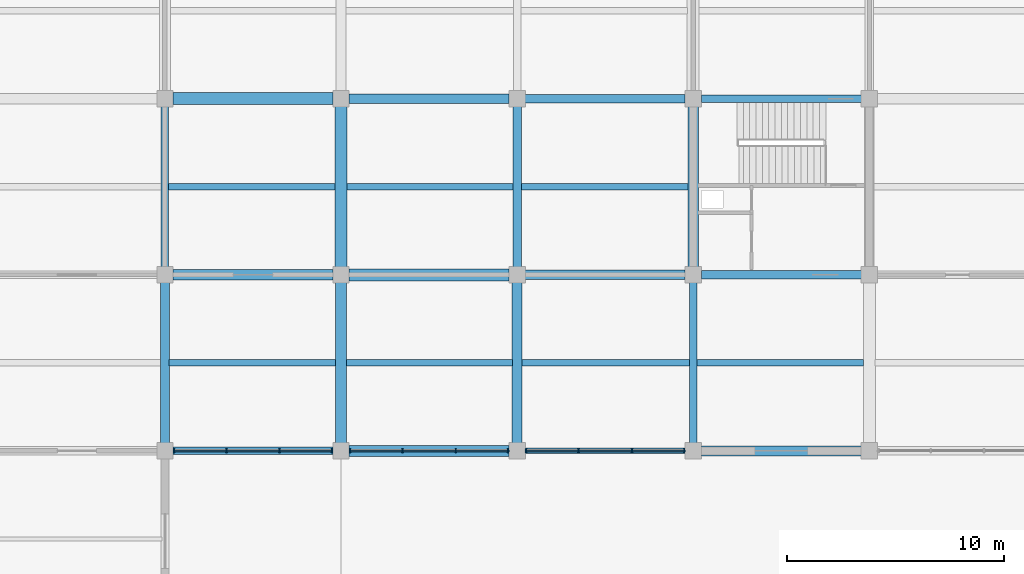
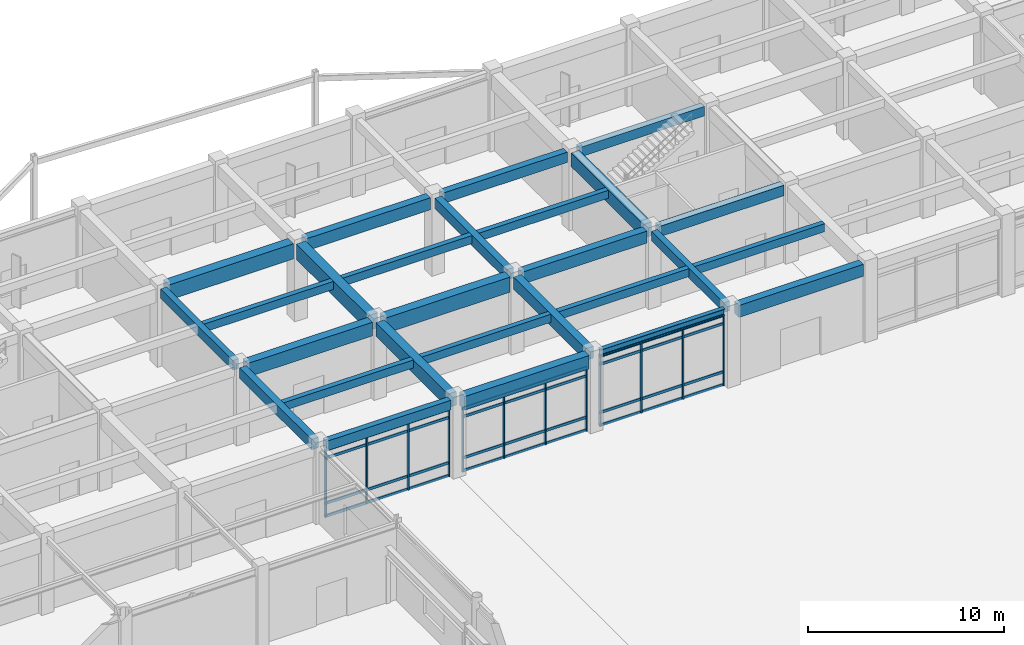
# One storey, part 33 of 99: 27 beams, 24 members, 3 elements without a shape of their own.
"""IFC4 building model written with IfcOpenShell, lengths in metres."""

from ifc_helpers import new_model, si_unit, direction, frame, origin, origin_2d, place, context, subcontext, project, spatial, rectangle, i_section, extrude, material, layer, layer_set, material_profile, profile_set, type_object, element, aggregate, save


model = new_model("IFC4")

# Units and contexts
model_context = context("Model", 3, precision=1e-05, world=origin(), true_north=direction((0.0, 1.0)))
body_context = subcontext(model_context, "Body", "Model", "MODEL_VIEW")
ifc_project = project(units=[si_unit("LENGTHUNIT", "METRE"), si_unit("AREAUNIT", "SQUARE_METRE"), si_unit("VOLUMEUNIT", "CUBIC_METRE"), si_unit("PLANEANGLEUNIT", "RADIAN"), si_unit("MASSUNIT", "GRAM", prefix="KILO")], contexts=[model_context])

# Site, building, storey
site_placement = place(None, origin())
site = spatial("IfcSite", under=ifc_project, at=site_placement, CompositionType="ELEMENT")
building_placement = place(site_placement, origin())
building = spatial("IfcBuilding", under=site, at=building_placement, Name="Vaudrelin Polytechnic", CompositionType="ELEMENT")
storey_placement = place(building_placement, origin())
storey = spatial("IfcBuildingStorey", under=building, at=storey_placement, Name="L00", CompositionType="ELEMENT", Elevation=0.0)

# Beams
ifc_material_1 = material(Name="Concrete 40 MPa", Category="concrete")
ifc_material_profile_1 = material_profile(ifc_material_1, rectangle(XDim=0.35009765625, YDim=0.60009765625, at=origin_2d()), Name="RC350x600")
ifc_profile_set_1 = profile_set([ifc_material_profile_1], Name="Concrete 40 MPa")
beam_type_1 = type_object("IfcBeamType", Name="BM-BM-RC3560", PredefinedType="BEAM", material=ifc_profile_set_1)
beam_1_placement = place(storey_placement, frame((32.39990234375, 105.659912109375, 4.52001953125), z_axis=(0.0, 1.0, 0.0), x_axis=(-1.0, 0.0, 0.0)))
element("IfcBeam", 1, at=beam_1_placement, inside=storey, type_object=beam_type_1, Name="L00 Y-beam 5-14", PredefinedType="BEAM", context=body_context, shape_type="SweptSolid", body=[
    extrude(rectangle(XDim=0.35009765625, YDim=0.60009765625, at=origin_2d()), origin(), (0.0, 0.0, 1.0), 7.380126953125),
])
beam_2_placement = place(storey_placement, frame((56.699951171875, 97.56005859375, 4.52001953125), z_axis=(0.0, 1.0, 0.0), x_axis=(-1.0, 0.0, 0.0)))
element("IfcBeam", 2, at=beam_2_placement, inside=storey, type_object=beam_type_1, Name="L00 Y-beam 8-13", PredefinedType="BEAM", context=body_context, shape_type="SweptSolid", body=[
    extrude(rectangle(XDim=0.35009765625, YDim=0.60009765625, at=origin_2d()), origin(), (0.0, 0.0, 1.0), 7.3798828125),
])
for number, where, z_axis, x_axis, name in (
    (3, (32.77099609375, 97.199951171875, 4.52001953125), (1.0, 0.0, 0.0), (0.0, 1.0, 0.0), "L00 X-beam 5-13"),
    (4, (57.071044921875, 113.39990234375, 4.52001953125), (1.0, 0.0, 0.0), (0.0, 1.0, 0.0), "L00 X-beam 8-15"),
):
    element("IfcBeam", number, at=place(storey_placement, frame(where, z_axis=z_axis, x_axis=x_axis)), inside=storey, type_object=beam_type_1, Name=name, PredefinedType="BEAM", context=body_context, shape_type="SweptSolid", body=[
        extrude(rectangle(XDim=0.35009765625, YDim=0.60009765625, at=origin_2d()), origin(), (0.0, 0.0, 1.0), 7.35791015625),
    ])
ifc_material_profile_2 = material_profile(ifc_material_1, rectangle(XDim=0.39990234375, YDim=0.64990234375, at=origin_2d()), Name="RC400x650")
ifc_profile_set_2 = profile_set([ifc_material_profile_2], Name="Concrete 40 MPa")
beam_type_2 = type_object("IfcBeamType", Name="BM-BM-RC4065", PredefinedType="BEAM", material=ifc_profile_set_2)
beam_3_placement = place(storey_placement, frame((32.39990234375, 97.56005859375, 4.4951171875), z_axis=(0.0, 1.0, 0.0), x_axis=(-1.0, 0.0, 0.0)))
element("IfcBeam", 5, at=beam_3_placement, inside=storey, type_object=beam_type_2, Name="L00 Y-beam 5-13", PredefinedType="BEAM", context=body_context, shape_type="SweptSolid", body=[
    extrude(rectangle(XDim=0.39990234375, YDim=0.64990234375, at=origin_2d()), origin(), (0.0, 0.0, 1.0), 7.3798828125),
])
beam_4_placement = place(storey_placement, frame((48.60009765625, 105.659912109375, 4.4951171875), z_axis=(0.0, 1.0, 0.0), x_axis=(-1.0, 0.0, 0.0)))
element("IfcBeam", 6, at=beam_4_placement, inside=storey, type_object=beam_type_2, Name="L00 Y-beam 7-14", PredefinedType="BEAM", context=body_context, shape_type="SweptSolid", body=[
    extrude(rectangle(XDim=0.39990234375, YDim=0.64990234375, at=origin_2d()), origin(), (0.0, 0.0, 1.0), 7.380126953125),
])
beam_5_placement = place(storey_placement, frame((48.970947265625, 113.39990234375, 4.4951171875), z_axis=(1.0, 0.0, 0.0), x_axis=(0.0, 1.0, 0.0)))
element("IfcBeam", 7, at=beam_5_placement, inside=storey, type_object=beam_type_2, Name="L00 X-beam 7-15", PredefinedType="BEAM", context=body_context, shape_type="SweptSolid", body=[
    extrude(rectangle(XDim=0.39990234375, YDim=0.64990234375, at=origin_2d()), origin(), (0.0, 0.0, 1.0), 7.358154296875),
])
beam_6_placement = place(storey_placement, frame((57.071044921875, 105.300048828125, 4.4951171875), z_axis=(1.0, 0.0, 0.0), x_axis=(0.0, 1.0, 0.0)))
element("IfcBeam", 8, at=beam_6_placement, inside=storey, type_object=beam_type_2, Name="L00 X-beam 8-14", PredefinedType="BEAM", context=body_context, shape_type="SweptSolid", body=[
    extrude(rectangle(XDim=0.39990234375, YDim=0.64990234375, at=origin_2d()), origin(), (0.0, 0.0, 1.0), 7.35791015625),
])
ifc_material_profile_3 = material_profile(ifc_material_1, rectangle(XDim=0.449951171875, YDim=0.75, at=origin_2d()), Name="RC450x750")
ifc_profile_set_3 = profile_set([ifc_material_profile_3], Name="Concrete 40 MPa")
beam_type_3 = type_object("IfcBeamType", Name="BM-BM-RC4575", PredefinedType="BEAM", material=ifc_profile_set_3)
beam_7_placement = place(storey_placement, frame((48.60009765625, 97.56005859375, 4.445068359375), z_axis=(0.0, 1.0, 0.0), x_axis=(-1.0, 0.0, 0.0)))
element("IfcBeam", 9, at=beam_7_placement, inside=storey, type_object=beam_type_3, Name="L00 Y-beam 7-13", PredefinedType="BEAM", context=body_context, shape_type="SweptSolid", body=[
    extrude(rectangle(XDim=0.449951171875, YDim=0.75, at=origin_2d()), origin(), (0.0, 0.0, 1.0), 7.3798828125),
])
beam_8_placement = place(storey_placement, frame((40.87109375, 113.39990234375, 4.445068359375), z_axis=(1.0, 0.0, 0.0), x_axis=(0.0, 1.0, 0.0)))
element("IfcBeam", 10, at=beam_8_placement, inside=storey, type_object=beam_type_3, Name="L00 X-beam 6-15", PredefinedType="BEAM", context=body_context, shape_type="SweptSolid", body=[
    extrude(rectangle(XDim=0.449951171875, YDim=0.75, at=origin_2d()), origin(), (0.0, 0.0, 1.0), 7.35791015625),
])
beam_9_placement = place(storey_placement, frame((48.970947265625, 105.300048828125, 4.445068359375), z_axis=(1.0, 0.0, 0.0), x_axis=(0.0, 1.0, 0.0)))
element("IfcBeam", 11, at=beam_9_placement, inside=storey, type_object=beam_type_3, Name="L00 X-beam 7-14", PredefinedType="BEAM", context=body_context, shape_type="SweptSolid", body=[
    extrude(rectangle(XDim=0.449951171875, YDim=0.75, at=origin_2d()), origin(), (0.0, 0.0, 1.0), 7.358154296875),
])
beam_10_placement = place(storey_placement, frame((57.071044921875, 97.199951171875, 4.445068359375), z_axis=(1.0, 0.0, 0.0), x_axis=(0.0, 1.0, 0.0)))
element("IfcBeam", 12, at=beam_10_placement, inside=storey, type_object=beam_type_3, Name="L00 X-beam 8-13", PredefinedType="BEAM", context=body_context, shape_type="SweptSolid", body=[
    extrude(rectangle(XDim=0.449951171875, YDim=0.75, at=origin_2d()), origin(), (0.0, 0.0, 1.0), 7.35791015625),
])
ifc_material_profile_4 = material_profile(ifc_material_1, rectangle(XDim=0.5, YDim=0.85009765625, at=origin_2d()), Name="RC500x850")
ifc_profile_set_4 = profile_set([ifc_material_profile_4], Name="Concrete 40 MPa")
beam_type_4 = type_object("IfcBeamType", Name="BM-BM-RC5085", PredefinedType="BEAM", material=ifc_profile_set_4)
beam_11_placement = place(storey_placement, frame((40.5, 97.56005859375, 4.39501953125), z_axis=(0.0, 1.0, 0.0), x_axis=(-1.0, 0.0, 0.0)))
element("IfcBeam", 13, at=beam_11_placement, inside=storey, type_object=beam_type_4, Name="L00 Y-beam 6-13", PredefinedType="BEAM", context=body_context, shape_type="SweptSolid", body=[
    extrude(rectangle(XDim=0.5, YDim=0.85009765625, at=origin_2d()), origin(), (0.0, 0.0, 1.0), 7.3798828125),
])
beam_12_placement = place(storey_placement, frame((56.699951171875, 105.659912109375, 4.39501953125), z_axis=(0.0, 1.0, 0.0), x_axis=(-1.0, 0.0, 0.0)))
element("IfcBeam", 14, at=beam_12_placement, inside=storey, type_object=beam_type_4, Name="L00 Y-beam 8-14", PredefinedType="BEAM", context=body_context, shape_type="SweptSolid", body=[
    extrude(rectangle(XDim=0.5, YDim=0.85009765625, at=origin_2d()), origin(), (0.0, 0.0, 1.0), 7.380126953125),
])
for number, where, z_axis, x_axis, name in (
    (15, (32.77099609375, 105.300048828125, 4.39501953125), (1.0, 0.0, 0.0), (0.0, 1.0, 0.0), "L00 X-beam 5-14"),
    (16, (40.87109375, 97.199951171875, 4.39501953125), (1.0, 0.0, 0.0), (0.0, 1.0, 0.0), "L00 X-beam 6-13"),
):
    element("IfcBeam", number, at=place(storey_placement, frame(where, z_axis=z_axis, x_axis=x_axis)), inside=storey, type_object=beam_type_4, Name=name, PredefinedType="BEAM", context=body_context, shape_type="SweptSolid", body=[
        extrude(rectangle(XDim=0.5, YDim=0.85009765625, at=origin_2d()), origin(), (0.0, 0.0, 1.0), 7.35791015625),
    ])
ifc_material_2 = material(Name="Concrete 50 MPa", Category="concrete")
ifc_material_profile_5 = material_profile(ifc_material_2, rectangle(XDim=0.550048828125, YDim=0.949951171875, at=origin_2d()), Name="RC550x950")
ifc_profile_set_5 = profile_set([ifc_material_profile_5], Name="Concrete 50 MPa")
beam_type_5 = type_object("IfcBeamType", Name="BM-BM-RC5595", PredefinedType="BEAM", material=ifc_profile_set_5)
beam_13_placement = place(storey_placement, frame((40.5, 105.659912109375, 4.344970703125), z_axis=(0.0, 1.0, 0.0), x_axis=(-1.0, 0.0, 0.0)))
element("IfcBeam", 17, at=beam_13_placement, inside=storey, type_object=beam_type_5, Name="L00 Y-beam 6-14", PredefinedType="BEAM", context=body_context, shape_type="SweptSolid", body=[
    extrude(rectangle(XDim=0.550048828125, YDim=0.949951171875, at=origin_2d()), origin(), (0.0, 0.0, 1.0), 7.380126953125),
])
for number, where, z_axis, x_axis, name in (
    (18, (32.77099609375, 113.39990234375, 4.344970703125), (1.0, 0.0, 0.0), (0.0, 1.0, 0.0), "L00 X-beam 5-15"),
    (19, (40.87109375, 105.300048828125, 4.344970703125), (1.0, 0.0, 0.0), (0.0, 1.0, 0.0), "L00 X-beam 6-14"),
):
    element("IfcBeam", number, at=place(storey_placement, frame(where, z_axis=z_axis, x_axis=x_axis)), inside=storey, type_object=beam_type_5, Name=name, PredefinedType="BEAM", context=body_context, shape_type="SweptSolid", body=[
        extrude(rectangle(XDim=0.550048828125, YDim=0.949951171875, at=origin_2d()), origin(), (0.0, 0.0, 1.0), 7.35791015625),
    ])
ifc_material_3 = material(Name="Steel CSA G40.21 350WT", Category="steel")
ifc_material_profile_6 = material_profile(ifc_material_3, i_section(OverallWidth=0.260009765625, OverallDepth=0.4150390625, WebThickness=0.010009765625, FlangeThickness=0.016845703125, FilletRadius=0.01611328125, at=origin_2d()), Name="W410x100")
ifc_profile_set_6 = profile_set([ifc_material_profile_6], Name="Steel CSA G40.21 350WT")
beam_type_6 = type_object("IfcBeamType", Name="BM-BM-W410H", PredefinedType="SPANDREL", material=ifc_profile_set_6)
beam_14_placement = place(storey_placement, frame((48.970947265625, 97.199951171875, 4.612548828125), z_axis=(1.0, 0.0, 0.0), x_axis=(0.0, 1.0, 0.0)))
element("IfcBeam", 20, at=beam_14_placement, inside=storey, type_object=beam_type_6, Name="L00 X-beam 7-13", PredefinedType="SPANDREL", context=body_context, shape_type="SweptSolid", body=[
    extrude(i_section(OverallWidth=0.260009765625, OverallDepth=0.4150390625, WebThickness=0.010009765625, FlangeThickness=0.016845703125, FilletRadius=0.01611328125, at=origin_2d()), origin(), (0.0, 0.0, 1.0), 7.358154296875),
])
ifc_material_profile_7 = material_profile(ifc_material_1, rectangle(XDim=0.300048828125, YDim=0.5, at=origin_2d()), Name="RC300x500")
ifc_profile_set_7 = profile_set([ifc_material_profile_7], Name="Concrete 40 MPa")
beam_type_7 = type_object("IfcBeamType", Name="BM-JS-RC3050", PredefinedType="JOIST", material=ifc_profile_set_7)
for number, where, z_axis, x_axis, name in (
    (21, (32.595947265625, 101.25, 4.570068359375), (1.0, 0.0, 0.0), (0.0, 1.0, 0.0), "L00 floor joist 5-13"),
    (22, (32.571044921875, 109.35009765625, 4.570068359375), (1.0, 0.0, 0.0), (0.0, 1.0, 0.0), "L00 floor joist 5-14"),
):
    element("IfcBeam", number, at=place(storey_placement, frame(where, z_axis=z_axis, x_axis=x_axis)), inside=storey, type_object=beam_type_7, Name=name, PredefinedType="JOIST", context=body_context, shape_type="SweptSolid", body=[
        extrude(rectangle(XDim=0.300048828125, YDim=0.5, at=origin_2d()), origin(), (0.0, 0.0, 1.0), 7.657958984375),
    ])
beam_15_placement = place(storey_placement, frame((40.74609375, 101.25, 4.570068359375), z_axis=(1.0, 0.0, 0.0), x_axis=(0.0, 1.0, 0.0)))
element("IfcBeam", 23, at=beam_15_placement, inside=storey, type_object=beam_type_7, Name="L00 floor joist 6-13", PredefinedType="JOIST", context=body_context, shape_type="SweptSolid", body=[
    extrude(rectangle(XDim=0.300048828125, YDim=0.5, at=origin_2d()), origin(), (0.0, 0.0, 1.0), 7.6328125),
])
beam_16_placement = place(storey_placement, frame((40.77099609375, 109.35009765625, 4.570068359375), z_axis=(1.0, 0.0, 0.0), x_axis=(0.0, 1.0, 0.0)))
element("IfcBeam", 24, at=beam_16_placement, inside=storey, type_object=beam_type_7, Name="L00 floor joist 6-14", PredefinedType="JOIST", context=body_context, shape_type="SweptSolid", body=[
    extrude(rectangle(XDim=0.300048828125, YDim=0.5, at=origin_2d()), origin(), (0.0, 0.0, 1.0), 7.633056640625),
])
beam_17_placement = place(storey_placement, frame((48.821044921875, 101.25, 4.570068359375), z_axis=(1.0, 0.0, 0.0), x_axis=(0.0, 1.0, 0.0)))
element("IfcBeam", 25, at=beam_17_placement, inside=storey, type_object=beam_type_7, Name="L00 floor joist 7-13", PredefinedType="JOIST", context=body_context, shape_type="SweptSolid", body=[
    extrude(rectangle(XDim=0.300048828125, YDim=0.5, at=origin_2d()), origin(), (0.0, 0.0, 1.0), 7.7080078125),
])
beam_18_placement = place(storey_placement, frame((48.7958984375, 109.35009765625, 4.570068359375), z_axis=(1.0, 0.0, 0.0), x_axis=(0.0, 1.0, 0.0)))
element("IfcBeam", 26, at=beam_18_placement, inside=storey, type_object=beam_type_7, Name="L00 floor joist 7-14", PredefinedType="JOIST", context=body_context, shape_type="SweptSolid", body=[
    extrude(rectangle(XDim=0.300048828125, YDim=0.5, at=origin_2d()), origin(), (0.0, 0.0, 1.0), 7.658203125),
])
beam_19_placement = place(storey_placement, frame((56.87109375, 101.25, 4.570068359375), z_axis=(1.0, 0.0, 0.0), x_axis=(0.0, 1.0, 0.0)))
element("IfcBeam", 27, at=beam_19_placement, inside=storey, type_object=beam_type_7, Name="L00 floor joist 8-13", PredefinedType="JOIST", context=body_context, shape_type="SweptSolid", body=[
    extrude(rectangle(XDim=0.300048828125, YDim=0.5, at=origin_2d()), origin(), (0.0, 0.0, 1.0), 7.657958984375),
])

# Curtain wall, members
ifc_material_4 = material(Name="Thermally broken anodised aluminium AA 6063-T6 and low-e triple glazing", Category="aluminium")
ifc_layer = layer(ifc_material_4, 0.199951171875)
ifc_layer_set = layer_set([ifc_layer], Name="Thermally broken anodised aluminium AA 6063-T6 and low-e triple glazing")
curtain_wall_type = type_object("IfcCurtainWallType", Name="CW-CW-LIB", PredefinedType="USERDEFINED", material=ifc_layer_set)
curtain_wall_1_placement = place(storey_placement, origin())
curtain_wall_1 = element("IfcCurtainWall", 28, at=curtain_wall_1_placement, inside=storey, type_object=curtain_wall_type, Name="Curtain wall L00 CT_N_00", ObjectType="CURTAIN WALL", PredefinedType="USERDEFINED")
ifc_material_5 = material(Name="Anodised aluminium AA 6063-T6", Category="aluminium")
ifc_material_profile_8 = material_profile(ifc_material_5, rectangle(XDim=0.06494140625, YDim=0.179931640625, at=origin_2d()), Name="CWM-65x180")
ifc_profile_set_8 = profile_set([ifc_material_profile_8], Name="Anodised aluminium AA 6063-T6")
member_type_1 = type_object("IfcMemberType", Name="MEM-CWM-180", PredefinedType="MULLION", material=ifc_profile_set_8)
member_1_placement = place(storey_placement, frame((32.81298828125, 97.199951171875, 0.0), z_axis=(0.0, 0.0, 1.0), x_axis=(1.0, 0.0, 0.0)))
member_1 = element("IfcMember", 29, at=member_1_placement, type_object=member_type_1, Name="CT_N_00 mullion 1", PredefinedType="MULLION", context=body_context, shape_type="SweptSolid", body=[
    extrude(rectangle(XDim=0.06494140625, YDim=0.179931640625, at=origin_2d()), origin(), (0.0, 0.0, 1.0), 4.221923828125),
])
member_2_placement = place(storey_placement, frame((35.224365234375, 97.199951171875, 0.0), z_axis=(0.0, 0.0, 1.0), x_axis=(1.0, 0.0, 0.0)))
member_2 = element("IfcMember", 30, at=member_2_placement, type_object=member_type_1, Name="CT_N_00 mullion 2", PredefinedType="MULLION", context=body_context, shape_type="SweptSolid", body=[
    extrude(rectangle(XDim=0.06494140625, YDim=0.179931640625, at=origin_2d()), origin(), (0.0, 0.0, 1.0), 4.221923828125),
])
member_3_placement = place(storey_placement, frame((37.67578125, 97.199951171875, 0.0), z_axis=(0.0, 0.0, 1.0), x_axis=(1.0, 0.0, 0.0)))
member_3 = element("IfcMember", 31, at=member_3_placement, type_object=member_type_1, Name="CT_N_00 mullion 3", PredefinedType="MULLION", context=body_context, shape_type="SweptSolid", body=[
    extrude(rectangle(XDim=0.06494140625, YDim=0.179931640625, at=origin_2d()), origin(), (0.0, 0.0, 1.0), 4.221923828125),
])
member_4_placement = place(storey_placement, frame((40.0869140625, 97.199951171875, 0.0), z_axis=(0.0, 0.0, 1.0), x_axis=(1.0, 0.0, 0.0)))
member_4 = element("IfcMember", 32, at=member_4_placement, type_object=member_type_1, Name="CT_N_00 mullion 4", PredefinedType="MULLION", context=body_context, shape_type="SweptSolid", body=[
    extrude(rectangle(XDim=0.06494140625, YDim=0.179931640625, at=origin_2d()), origin(), (0.0, 0.0, 1.0), 4.221923828125),
])

curtain_wall_2_placement = place(storey_placement, origin())
curtain_wall_2 = element("IfcCurtainWall", 33, at=curtain_wall_2_placement, inside=storey, type_object=curtain_wall_type, Name="Curtain wall L00 CT_N_01", ObjectType="CURTAIN WALL", PredefinedType="USERDEFINED")
member_5_placement = place(storey_placement, frame((40.9130859375, 97.199951171875, 0.0), z_axis=(0.0, 0.0, 1.0), x_axis=(1.0, 0.0, 0.0)))
member_5 = element("IfcMember", 34, at=member_5_placement, type_object=member_type_1, Name="CT_N_01 mullion 1", PredefinedType="MULLION", context=body_context, shape_type="SweptSolid", body=[
    extrude(rectangle(XDim=0.06494140625, YDim=0.179931640625, at=origin_2d()), origin(), (0.0, 0.0, 1.0), 3.971923828125),
])
member_6_placement = place(storey_placement, frame((43.32421875, 97.199951171875, 0.0), z_axis=(0.0, 0.0, 1.0), x_axis=(1.0, 0.0, 0.0)))
member_6 = element("IfcMember", 35, at=member_6_placement, type_object=member_type_1, Name="CT_N_01 mullion 2", PredefinedType="MULLION", context=body_context, shape_type="SweptSolid", body=[
    extrude(rectangle(XDim=0.06494140625, YDim=0.179931640625, at=origin_2d()), origin(), (0.0, 0.0, 1.0), 3.971923828125),
])
member_7_placement = place(storey_placement, frame((45.775634765625, 97.199951171875, 0.0), z_axis=(0.0, 0.0, 1.0), x_axis=(1.0, 0.0, 0.0)))
member_7 = element("IfcMember", 36, at=member_7_placement, type_object=member_type_1, Name="CT_N_01 mullion 3", PredefinedType="MULLION", context=body_context, shape_type="SweptSolid", body=[
    extrude(rectangle(XDim=0.06494140625, YDim=0.179931640625, at=origin_2d()), origin(), (0.0, 0.0, 1.0), 3.971923828125),
])
member_8_placement = place(storey_placement, frame((48.18701171875, 97.199951171875, 0.0), z_axis=(0.0, 0.0, 1.0), x_axis=(1.0, 0.0, 0.0)))
member_8 = element("IfcMember", 37, at=member_8_placement, type_object=member_type_1, Name="CT_N_01 mullion 4", PredefinedType="MULLION", context=body_context, shape_type="SweptSolid", body=[
    extrude(rectangle(XDim=0.06494140625, YDim=0.179931640625, at=origin_2d()), origin(), (0.0, 0.0, 1.0), 3.971923828125),
])

curtain_wall_3_placement = place(storey_placement, origin())
curtain_wall_3 = element("IfcCurtainWall", 38, at=curtain_wall_3_placement, inside=storey, type_object=curtain_wall_type, Name="Curtain wall L00 CT_N_02", ObjectType="CURTAIN WALL", PredefinedType="USERDEFINED")
member_9_placement = place(storey_placement, frame((49.012939453125, 97.199951171875, 0.0), z_axis=(0.0, 0.0, 1.0), x_axis=(1.0, 0.0, 0.0)))
member_9 = element("IfcMember", 39, at=member_9_placement, type_object=member_type_1, Name="CT_N_02 mullion 1", PredefinedType="MULLION", context=body_context, shape_type="SweptSolid", body=[
    extrude(rectangle(XDim=0.06494140625, YDim=0.179931640625, at=origin_2d()), origin(), (0.0, 0.0, 1.0), 4.406982421875),
])
member_10_placement = place(storey_placement, frame((51.42431640625, 97.199951171875, 0.0), z_axis=(0.0, 0.0, 1.0), x_axis=(1.0, 0.0, 0.0)))
member_10 = element("IfcMember", 40, at=member_10_placement, type_object=member_type_1, Name="CT_N_02 mullion 2", PredefinedType="MULLION", context=body_context, shape_type="SweptSolid", body=[
    extrude(rectangle(XDim=0.06494140625, YDim=0.179931640625, at=origin_2d()), origin(), (0.0, 0.0, 1.0), 4.406982421875),
])
member_11_placement = place(storey_placement, frame((53.875732421875, 97.199951171875, 0.0), z_axis=(0.0, 0.0, 1.0), x_axis=(1.0, 0.0, 0.0)))
member_11 = element("IfcMember", 41, at=member_11_placement, type_object=member_type_1, Name="CT_N_02 mullion 3", PredefinedType="MULLION", context=body_context, shape_type="SweptSolid", body=[
    extrude(rectangle(XDim=0.06494140625, YDim=0.179931640625, at=origin_2d()), origin(), (0.0, 0.0, 1.0), 4.406982421875),
])
member_12_placement = place(storey_placement, frame((56.287109375, 97.199951171875, 0.0), z_axis=(0.0, 0.0, 1.0), x_axis=(1.0, 0.0, 0.0)))
member_12 = element("IfcMember", 42, at=member_12_placement, type_object=member_type_1, Name="CT_N_02 mullion 4", PredefinedType="MULLION", context=body_context, shape_type="SweptSolid", body=[
    extrude(rectangle(XDim=0.06494140625, YDim=0.179931640625, at=origin_2d()), origin(), (0.0, 0.0, 1.0), 4.406982421875),
])

# Member
ifc_material_profile_9 = material_profile(ifc_material_5, rectangle(XDim=0.074951171875, YDim=0.1650390625, at=origin_2d()), Name="CWT-75x165")
ifc_profile_set_9 = profile_set([ifc_material_profile_9], Name="Anodised aluminium AA 6063-T6")
member_type_2 = type_object("IfcMemberType", Name="MEM-CWT-165", PredefinedType="USERDEFINED", material=ifc_profile_set_9)
member_13_placement = place(storey_placement, frame((32.77294921875, 97.199951171875, 0.050048828125), z_axis=(1.0, 0.0, 0.0), x_axis=(0.0, 1.0, 0.0)))
member_13 = element("IfcMember", 43, at=member_13_placement, type_object=member_type_2, Name="CT_N_00 transom 1", ObjectType="TRANSOM", PredefinedType="USERDEFINED", context=body_context, shape_type="SweptSolid", body=[
    extrude(rectangle(XDim=0.074951171875, YDim=0.1650390625, at=origin_2d()), origin(), (0.0, 0.0, 1.0), 7.35400390625),
])

member_14_placement = place(storey_placement, frame((32.77294921875, 97.199951171875, 0.85009765625), z_axis=(1.0, 0.0, 0.0), x_axis=(0.0, 1.0, 0.0)))
member_14 = element("IfcMember", 44, at=member_14_placement, type_object=member_type_2, Name="CT_N_00 transom 2", ObjectType="TRANSOM", PredefinedType="USERDEFINED", context=body_context, shape_type="SweptSolid", body=[
    extrude(rectangle(XDim=0.074951171875, YDim=0.1650390625, at=origin_2d()), origin(), (0.0, 0.0, 1.0), 7.35400390625),
])

member_15_placement = place(storey_placement, frame((32.77294921875, 97.199951171875, 3.672119140625), z_axis=(1.0, 0.0, 0.0), x_axis=(0.0, 1.0, 0.0)))
member_15 = element("IfcMember", 45, at=member_15_placement, type_object=member_type_2, Name="CT_N_00 transom 3", ObjectType="TRANSOM", PredefinedType="USERDEFINED", context=body_context, shape_type="SweptSolid", body=[
    extrude(rectangle(XDim=0.074951171875, YDim=0.1650390625, at=origin_2d()), origin(), (0.0, 0.0, 1.0), 7.35400390625),
])

member_16_placement = place(storey_placement, frame((32.77294921875, 97.199951171875, 4.172119140625), z_axis=(1.0, 0.0, 0.0), x_axis=(0.0, 1.0, 0.0)))
member_16 = element("IfcMember", 46, at=member_16_placement, type_object=member_type_2, Name="CT_N_00 transom 4", ObjectType="TRANSOM", PredefinedType="USERDEFINED", context=body_context, shape_type="SweptSolid", body=[
    extrude(rectangle(XDim=0.074951171875, YDim=0.1650390625, at=origin_2d()), origin(), (0.0, 0.0, 1.0), 7.35400390625),
])

aggregate(curtain_wall_1, [member_1, member_2, member_3, member_4, member_13, member_14, member_15, member_16])

member_17_placement = place(storey_placement, frame((40.873046875, 97.199951171875, 0.050048828125), z_axis=(1.0, 0.0, 0.0), x_axis=(0.0, 1.0, 0.0)))
member_17 = element("IfcMember", 47, at=member_17_placement, type_object=member_type_2, Name="CT_N_01 transom 1", ObjectType="TRANSOM", PredefinedType="USERDEFINED", context=body_context, shape_type="SweptSolid", body=[
    extrude(rectangle(XDim=0.074951171875, YDim=0.1650390625, at=origin_2d()), origin(), (0.0, 0.0, 1.0), 7.35400390625),
])

member_18_placement = place(storey_placement, frame((40.873046875, 97.199951171875, 0.85009765625), z_axis=(1.0, 0.0, 0.0), x_axis=(0.0, 1.0, 0.0)))
member_18 = element("IfcMember", 48, at=member_18_placement, type_object=member_type_2, Name="CT_N_01 transom 2", ObjectType="TRANSOM", PredefinedType="USERDEFINED", context=body_context, shape_type="SweptSolid", body=[
    extrude(rectangle(XDim=0.074951171875, YDim=0.1650390625, at=origin_2d()), origin(), (0.0, 0.0, 1.0), 7.35400390625),
])

member_19_placement = place(storey_placement, frame((40.873046875, 97.199951171875, 3.422119140625), z_axis=(1.0, 0.0, 0.0), x_axis=(0.0, 1.0, 0.0)))
member_19 = element("IfcMember", 49, at=member_19_placement, type_object=member_type_2, Name="CT_N_01 transom 3", ObjectType="TRANSOM", PredefinedType="USERDEFINED", context=body_context, shape_type="SweptSolid", body=[
    extrude(rectangle(XDim=0.074951171875, YDim=0.1650390625, at=origin_2d()), origin(), (0.0, 0.0, 1.0), 7.35400390625),
])

member_20_placement = place(storey_placement, frame((40.873046875, 97.199951171875, 3.922119140625), z_axis=(1.0, 0.0, 0.0), x_axis=(0.0, 1.0, 0.0)))
member_20 = element("IfcMember", 50, at=member_20_placement, type_object=member_type_2, Name="CT_N_01 transom 4", ObjectType="TRANSOM", PredefinedType="USERDEFINED", context=body_context, shape_type="SweptSolid", body=[
    extrude(rectangle(XDim=0.074951171875, YDim=0.1650390625, at=origin_2d()), origin(), (0.0, 0.0, 1.0), 7.35400390625),
])

aggregate(curtain_wall_2, [member_5, member_6, member_7, member_8, member_17, member_18, member_19, member_20])

member_21_placement = place(storey_placement, frame((48.972900390625, 97.199951171875, 0.050048828125), z_axis=(1.0, 0.0, 0.0), x_axis=(0.0, 1.0, 0.0)))
member_21 = element("IfcMember", 51, at=member_21_placement, type_object=member_type_2, Name="CT_N_02 transom 1", ObjectType="TRANSOM", PredefinedType="USERDEFINED", context=body_context, shape_type="SweptSolid", body=[
    extrude(rectangle(XDim=0.074951171875, YDim=0.1650390625, at=origin_2d()), origin(), (0.0, 0.0, 1.0), 7.35400390625),
])

member_22_placement = place(storey_placement, frame((48.972900390625, 97.199951171875, 0.85009765625), z_axis=(1.0, 0.0, 0.0), x_axis=(0.0, 1.0, 0.0)))
member_22 = element("IfcMember", 52, at=member_22_placement, type_object=member_type_2, Name="CT_N_02 transom 2", ObjectType="TRANSOM", PredefinedType="USERDEFINED", context=body_context, shape_type="SweptSolid", body=[
    extrude(rectangle(XDim=0.074951171875, YDim=0.1650390625, at=origin_2d()), origin(), (0.0, 0.0, 1.0), 7.35400390625),
])

member_23_placement = place(storey_placement, frame((48.972900390625, 97.199951171875, 3.85693359375), z_axis=(1.0, 0.0, 0.0), x_axis=(0.0, 1.0, 0.0)))
member_23 = element("IfcMember", 53, at=member_23_placement, type_object=member_type_2, Name="CT_N_02 transom 3", ObjectType="TRANSOM", PredefinedType="USERDEFINED", context=body_context, shape_type="SweptSolid", body=[
    extrude(rectangle(XDim=0.074951171875, YDim=0.1650390625, at=origin_2d()), origin(), (0.0, 0.0, 1.0), 7.35400390625),
])

member_24_placement = place(storey_placement, frame((48.972900390625, 97.199951171875, 4.35693359375), z_axis=(1.0, 0.0, 0.0), x_axis=(0.0, 1.0, 0.0)))
member_24 = element("IfcMember", 54, at=member_24_placement, type_object=member_type_2, Name="CT_N_02 transom 4", ObjectType="TRANSOM", PredefinedType="USERDEFINED", context=body_context, shape_type="SweptSolid", body=[
    extrude(rectangle(XDim=0.074951171875, YDim=0.1650390625, at=origin_2d()), origin(), (0.0, 0.0, 1.0), 7.35400390625),
])

aggregate(curtain_wall_3, [member_9, member_10, member_11, member_12, member_21, member_22, member_23, member_24])

save(model, "model.ifc")
